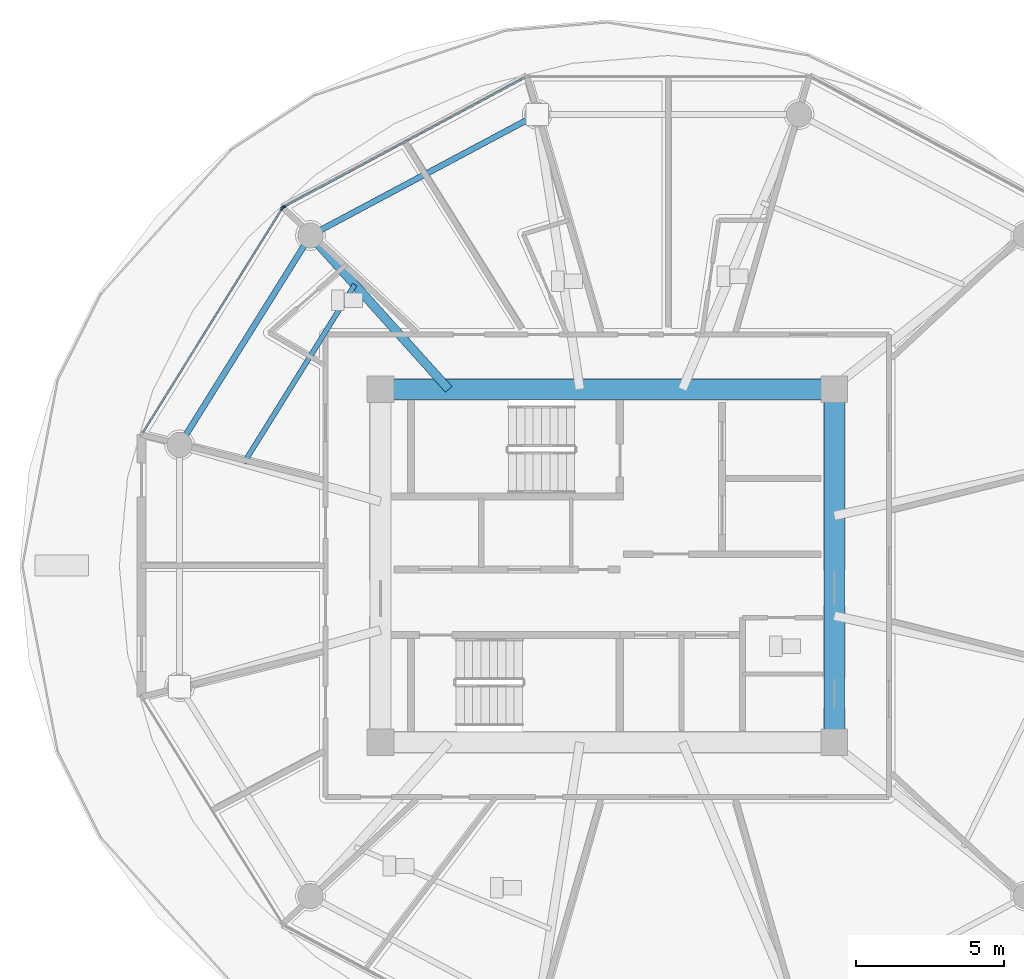
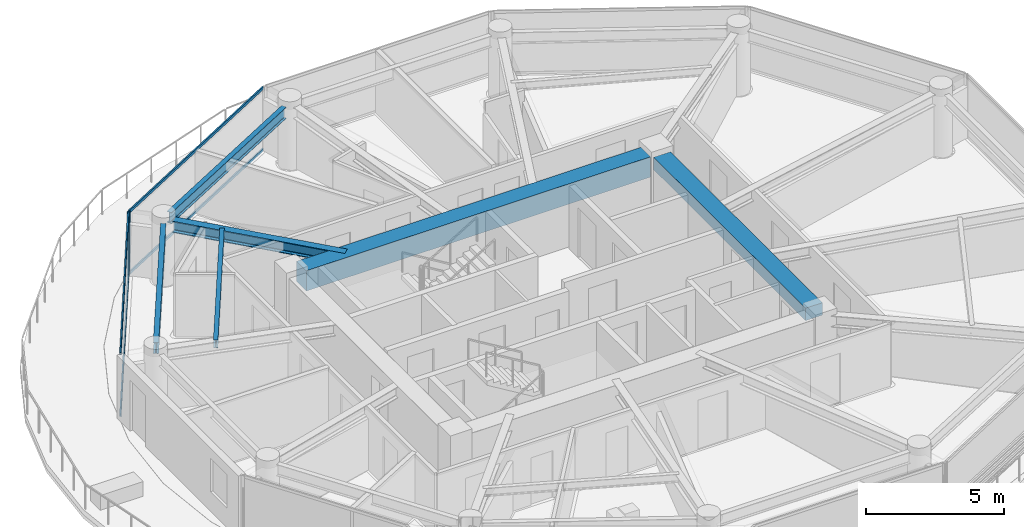
# One storey, part 4 of 32: 6 beams, 6 members, 2 elements without a shape of their own.
"""IFC4 building model written with IfcOpenShell, lengths in metres."""

from ifc_helpers import new_model, si_unit, direction, frame, origin, origin_2d, place, context, subcontext, project, spatial, rectangle, i_section, extrude, source, transform, mapped, material, layer, layer_set, material_profile, profile_set, type_object, type_shapes, element, aggregate, save


model = new_model("IFC4")

# Units and contexts
model_context = context("Model", 3, precision=1e-05, world=origin(), true_north=direction((0.0, 1.0)))
body_context = subcontext(model_context, "Body", "Model", "MODEL_VIEW")
ifc_project = project(units=[si_unit("LENGTHUNIT", "METRE"), si_unit("AREAUNIT", "SQUARE_METRE"), si_unit("VOLUMEUNIT", "CUBIC_METRE"), si_unit("PLANEANGLEUNIT", "RADIAN"), si_unit("MASSUNIT", "GRAM", prefix="KILO")], contexts=[model_context])

# Site, building, storey
site_placement = place(None, origin())
site = spatial("IfcSite", under=ifc_project, at=site_placement, CompositionType="ELEMENT")
building_placement = place(site_placement, origin())
building = spatial("IfcBuilding", under=site, at=building_placement, Name="Norrkilde Senior Care Towers", CompositionType="ELEMENT")
storey_placement = place(building_placement, frame((0.0, 0.0, 77.949951171875)))
storey = spatial("IfcBuildingStorey", under=building, at=storey_placement, Name="L23", CompositionType="ELEMENT", Elevation=77.949951171875)

# Beams
ifc_material_1 = material(Name="Concrete C60/75", Category="concrete")
ifc_material_profile_1 = material_profile(ifc_material_1, rectangle(XDim=0.699951171875, YDim=0.89990234375, at=origin_2d()), Name="RC BM 700x900")
ifc_profile_set_1 = profile_set([ifc_material_profile_1], Name="Concrete C60/75")
beam_type_1 = type_object("IfcBeamType", Name="Core Coupling Girder 700x900", PredefinedType="USERDEFINED", material=ifc_profile_set_1)
shared_shape_1 = source(origin(), body_context, "Body", "SweptSolid", [
    extrude(rectangle(XDim=0.699951171875, YDim=0.89990234375, at=origin_2d()), origin(), (0.0, 0.0, 1.0), 14.43994140625),
])
type_shapes(beam_type_1, [shared_shape_1])
beam_1_placement = place(storey_placement, frame((-35.219970703125, 5.949951171875, 2.340087890625), z_axis=(1.0, 0.0, 0.0), x_axis=(0.0, 1.0, 0.0)))
element("IfcBeam", 1, at=beam_1_placement, inside=storey, type_object=beam_type_1, Name="L23 Core W N Coupling Girder", ObjectType="GIRDER", PredefinedType="USERDEFINED", context=body_context, shape_type="MappedRepresentation", body=[
    mapped(shared_shape_1, transform((0.0, 0.0, 0.0), x_axis=(1.0, 0.0, 0.0), y_axis=(0.0, 1.0, 0.0), z_axis=(0.0, 0.0, 1.0), scale=1.0)),
])
ifc_material_profile_2 = material_profile(ifc_material_1, rectangle(XDim=0.699951171875, YDim=0.550048828125, at=origin_2d()), Name="RC BM 700x550")
ifc_profile_set_2 = profile_set([ifc_material_profile_2], Name="Concrete C60/75")
beam_type_2 = type_object("IfcBeamType", Name="Core Portal Coupling Beam 700x550", PredefinedType="USERDEFINED", material=ifc_profile_set_2)
shared_shape_2 = source(origin(), body_context, "Body", "SweptSolid", [
    extrude(rectangle(XDim=0.699951171875, YDim=0.550048828125, at=origin_2d()), origin(), (0.0, 0.0, 1.0), 11.0400390625),
])
type_shapes(beam_type_2, [shared_shape_2])
beam_2_placement = place(storey_placement, frame((-20.35009765625, -5.52001953125, 2.51513671875), z_axis=(0.0, 1.0, 0.0), x_axis=(-1.0, 0.0, 0.0)))
element("IfcBeam", 2, at=beam_2_placement, inside=storey, type_object=beam_type_2, Name="L23 Core W E Coupling Girder", ObjectType="GIRDER", PredefinedType="USERDEFINED", context=body_context, shape_type="MappedRepresentation", body=[
    mapped(shared_shape_2, transform((0.0, 0.0, 0.0), x_axis=(1.0, 0.0, 0.0), y_axis=(0.0, 1.0, 0.0), z_axis=(0.0, 0.0, 1.0), scale=1.0)),
])
ifc_material_2 = material(Name="Steel S355", Category="steel")
ifc_material_profile_3 = material_profile(ifc_material_2, i_section(OverallWidth=0.199951171875, OverallDepth=0.5, WebThickness=0.01025390625, FlangeThickness=0.01611328125, FilletRadius=0.02099609375, at=origin_2d()), Name="IPE 500")
ifc_profile_set_3 = profile_set([ifc_material_profile_3], Name="Steel S355")
beam_type_3 = type_object("IfcBeamType", Name="Perimeter Ring Spandrel Z2 IPE500", PredefinedType="SPANDREL", material=ifc_profile_set_3)
shared_shape_3 = source(origin(), body_context, "Body", "SweptSolid", [
    extrude(i_section(OverallWidth=0.199951171875, OverallDepth=0.5, WebThickness=0.01025390625, FlangeThickness=0.01611328125, FilletRadius=0.02099609375, at=origin_2d()), origin(), (0.0, 0.0, 1.0), 7.892333984375),
])
beam_3_placement = place(storey_placement, frame((-30.70263671875, 15.0322265625, 2.5400390625), z_axis=(-0.882350372282, -0.47059305194, 0.0), x_axis=(0.47059305194, -0.882350372282, 0.0)))
element("IfcBeam", 3, at=beam_3_placement, inside=storey, type_object=beam_type_3, Name="L23 Drum W Perimeter Spandrel 04", PredefinedType="SPANDREL", context=body_context, shape_type="MappedRepresentation", body=[
    mapped(shared_shape_3, transform((0.0, 0.0, 0.0), x_axis=(1.0, 0.0, 0.0), y_axis=(0.0, 1.0, 0.0), z_axis=(0.0, 0.0, 1.0), scale=1.0)),
])
shared_shape_4 = source(origin(), body_context, "Body", "SweptSolid", [
    extrude(i_section(OverallWidth=0.199951171875, OverallDepth=0.5, WebThickness=0.01025390625, FlangeThickness=0.01611328125, FilletRadius=0.02099609375, at=origin_2d()), origin(), (0.0, 0.0, 1.0), 7.556396484375),
])
type_shapes(beam_type_3, [shared_shape_3, shared_shape_4])
beam_4_placement = place(storey_placement, frame((-38.210205078125, 10.810546875, 2.5400390625), z_axis=(-0.530004748437, -0.847994673706, 0.0), x_axis=(0.847994673706, -0.530004748437, 0.0)))
element("IfcBeam", 4, at=beam_4_placement, inside=storey, type_object=beam_type_3, Name="L23 Drum W Perimeter Spandrel 05", PredefinedType="SPANDREL", context=body_context, shape_type="MappedRepresentation", body=[
    mapped(shared_shape_4, transform((0.0, 0.0, 0.0), x_axis=(1.0, 0.0, 0.0), y_axis=(0.0, 1.0, 0.0), z_axis=(0.0, 0.0, 1.0), scale=1.0)),
])
ifc_material_profile_4 = material_profile(ifc_material_2, i_section(OverallWidth=0.300048828125, OverallDepth=0.5, WebThickness=0.014404296875, FlangeThickness=0.028076171875, FilletRadius=0.027099609375, at=origin_2d()), Name="HEB 500")
ifc_profile_set_4 = profile_set([ifc_material_profile_4], Name="Steel S355")
beam_type_4 = type_object("IfcBeamType", Name="Radial Floor Beam Z2 HEB500", PredefinedType="BEAM", material=ifc_profile_set_4)
shared_shape_5 = source(origin(), body_context, "Body", "SweptSolid", [
    extrude(i_section(OverallWidth=0.300048828125, OverallDepth=0.5, WebThickness=0.014404296875, FlangeThickness=0.028076171875, FilletRadius=0.027099609375, at=origin_2d()), origin(), (0.0, 0.0, 1.0), 6.587890625),
])
type_shapes(beam_type_4, [shared_shape_5])
beam_5_placement = place(storey_placement, frame((-33.345947265625, 5.949951171875, 2.5400390625), z_axis=(-0.668315438605, 0.743877997068, 0.0), x_axis=(-0.743877997068, -0.668315438605, 0.0)))
element("IfcBeam", 5, at=beam_5_placement, inside=storey, type_object=beam_type_4, Name="L23 Drum W Radial Floor Beam 05", PredefinedType="BEAM", context=body_context, shape_type="MappedRepresentation", body=[
    mapped(shared_shape_5, transform((0.0, 0.0, 0.0), x_axis=(1.0, 0.0, 0.0), y_axis=(0.0, 1.0, 0.0), z_axis=(0.0, 0.0, 1.0), scale=1.0)),
])
ifc_material_profile_5 = material_profile(ifc_material_2, i_section(OverallWidth=0.169921875, OverallDepth=0.360107421875, WebThickness=0.008056640625, FlangeThickness=0.0126953125, FilletRadius=0.01806640625, at=origin_2d()), Name="IPE 360")
ifc_profile_set_5 = profile_set([ifc_material_profile_5], Name="Steel S355")
beam_type_5 = type_object("IfcBeamType", Name="Secondary Floor Joist IPE360", PredefinedType="JOIST", material=ifc_profile_set_5)
shared_shape_6 = source(origin(), body_context, "Body", "SweptSolid", [
    extrude(i_section(OverallWidth=0.169921875, OverallDepth=0.360107421875, WebThickness=0.008056640625, FlangeThickness=0.0126953125, FilletRadius=0.01806640625, at=origin_2d()), origin(), (0.0, 0.0, 1.0), 7.080078125),
])
type_shapes(beam_type_5, [shared_shape_6])
beam_6_placement = place(storey_placement, frame((-36.514892578125, 9.47705078125, 2.610107421875), z_axis=(-0.527961009189, -0.849268610497, 0.0), x_axis=(0.849268610497, -0.527961009189, 0.0)))
element("IfcBeam", 6, at=beam_6_placement, inside=storey, type_object=beam_type_5, Name="L23 Drum W Secondary Floor Joist 2", PredefinedType="JOIST", context=body_context, shape_type="MappedRepresentation", body=[
    mapped(shared_shape_6, transform((0.0, 0.0, 0.0), x_axis=(1.0, 0.0, 0.0), y_axis=(0.0, 1.0, 0.0), z_axis=(0.0, 0.0, 1.0), scale=1.0)),
])

# Curtain wall, member
ifc_material_3 = material(Name="Triple Low-E Insulated Glazing", Category="glass")
ifc_layer = layer(ifc_material_3, 0.195068359375)
ifc_layer_set = layer_set([ifc_layer], Name="Triple Low-E Insulated Glazing")
curtain_wall_type = type_object("IfcCurtainWallType", Name="CW3 Zone 2 Assisted Living Curtain Wall", PredefinedType="NOTDEFINED", material=ifc_layer_set)
curtain_wall_1_placement = place(storey_placement, origin())
curtain_wall_1 = element("IfcCurtainWall", 7, at=curtain_wall_1_placement, inside=storey, type_object=curtain_wall_type, Name="L23 Drum W Curtain Wall 03", PredefinedType="NOTDEFINED")
ifc_material_4 = material(Name="Anodised Aluminium", Category="aluminium")
ifc_material_profile_6 = material_profile(ifc_material_4, rectangle(XDim=0.06494140625, YDim=0.159912109375, at=origin_2d()), Name="ALU MULL 65x160")
ifc_profile_set_6 = profile_set([ifc_material_profile_6], Name="Anodised Aluminium")
member_type_1 = type_object("IfcMemberType", Name="Curtain Wall Mullion Z1-Z2 65x160", PredefinedType="MULLION", material=ifc_profile_set_6)
shared_shape_7 = source(origin(), body_context, "Body", "SweptSolid", [
    extrude(rectangle(XDim=0.06494140625, YDim=0.159912109375, at=origin_2d()), origin(), (0.0, 0.0, 1.0), 2.7900390625),
])
type_shapes(member_type_1, [shared_shape_7])
member_1_placement = place(storey_placement, frame((-38.91796875, 12.0927734375, 0.0), z_axis=(0.0, 0.0, 1.0), x_axis=(-0.472769402511, 0.881186184668, 0.0)))
member_1 = element("IfcMember", 8, at=member_1_placement, type_object=member_type_1, Name="CW-3 mullion 1", PredefinedType="MULLION", context=body_context, shape_type="MappedRepresentation", body=[
    mapped(shared_shape_7, transform((0.0, 0.0, 0.0), x_axis=(1.0, 0.0, 0.0), y_axis=(0.0, 1.0, 0.0), z_axis=(0.0, 0.0, 1.0), scale=1.0)),
])

# Curtain wall, members
curtain_wall_2_placement = place(storey_placement, origin())
curtain_wall_2 = element("IfcCurtainWall", 9, at=curtain_wall_2_placement, inside=storey, type_object=curtain_wall_type, Name="L23 Drum W Curtain Wall 04", PredefinedType="NOTDEFINED")
member_2_placement = place(storey_placement, frame((-38.9638671875, 12.0498046875, 0.0), z_axis=(0.0, 0.0, 1.0), x_axis=(-0.849410171862, 0.527733228002, 0.0)))
member_2 = element("IfcMember", 10, at=member_2_placement, type_object=member_type_1, Name="CW-3 mullion 2", PredefinedType="MULLION", context=body_context, shape_type="MappedRepresentation", body=[
    mapped(shared_shape_7, transform((0.0, 0.0, 0.0), x_axis=(1.0, 0.0, 0.0), y_axis=(0.0, 1.0, 0.0), z_axis=(0.0, 0.0, 1.0), scale=1.0)),
])
ifc_material_profile_7 = material_profile(ifc_material_4, rectangle(XDim=0.06005859375, YDim=0.1201171875, at=origin_2d()), Name="ALU TRAN 60x120")
ifc_profile_set_7 = profile_set([ifc_material_profile_7], Name="Anodised Aluminium")
member_type_2 = type_object("IfcMemberType", Name="Curtain Wall Transom Typical 60x120", PredefinedType="USERDEFINED", material=ifc_profile_set_7)
shared_shape_8 = source(origin(), body_context, "Body", "SweptSolid", [
    extrude(rectangle(XDim=0.06005859375, YDim=0.1201171875, at=origin_2d()), origin(), (0.0, 0.0, 1.0), 8.88427734375),
])
member_3_placement = place(storey_placement, frame((-43.66943359375, 4.475830078125, 0.030029296875), z_axis=(0.527729466743, 0.849412508697, 0.0), x_axis=(-0.849412508697, 0.527729466743, 0.0)))
member_3 = element("IfcMember", 11, at=member_3_placement, type_object=member_type_2, Name="CW-3 transom 1.1", ObjectType="TRANSOM", PredefinedType="USERDEFINED", context=body_context, shape_type="MappedRepresentation", body=[
    mapped(shared_shape_8, transform((0.0, 0.0, 0.0), x_axis=(1.0, 0.0, 0.0), y_axis=(0.0, 1.0, 0.0), z_axis=(0.0, 0.0, 1.0), scale=1.0)),
])
member_4_placement = place(storey_placement, frame((-43.66943359375, 4.475830078125, 2.760009765625), z_axis=(0.527729466743, 0.849412508697, 0.0), x_axis=(-0.849412508697, 0.527729466743, 0.0)))
member_4 = element("IfcMember", 12, at=member_4_placement, type_object=member_type_2, Name="CW-3 transom 1.2", ObjectType="TRANSOM", PredefinedType="USERDEFINED", context=body_context, shape_type="MappedRepresentation", body=[
    mapped(shared_shape_8, transform((0.0, 0.0, 0.0), x_axis=(1.0, 0.0, 0.0), y_axis=(0.0, 1.0, 0.0), z_axis=(0.0, 0.0, 1.0), scale=1.0)),
])
aggregate(curtain_wall_2, [member_2, member_3, member_4])

# Member
shared_shape_9 = source(origin(), body_context, "Body", "SweptSolid", [
    extrude(rectangle(XDim=0.06005859375, YDim=0.1201171875, at=origin_2d()), origin(), (0.0, 0.0, 1.0), 9.220458984375),
])
type_shapes(member_type_2, [shared_shape_8, shared_shape_9])
member_5_placement = place(storey_placement, frame((-38.889404296875, 12.108154296875, 0.030029296875), z_axis=(0.881188517866, 0.472765053681, 0.0), x_axis=(-0.472765053681, 0.881188517866, 0.0)))
member_5 = element("IfcMember", 13, at=member_5_placement, type_object=member_type_2, Name="CW-3 transom 1.1", ObjectType="TRANSOM", PredefinedType="USERDEFINED", context=body_context, shape_type="MappedRepresentation", body=[
    mapped(shared_shape_9, transform((0.0, 0.0, 0.0), x_axis=(1.0, 0.0, 0.0), y_axis=(0.0, 1.0, 0.0), z_axis=(0.0, 0.0, 1.0), scale=1.0)),
])

member_6_placement = place(storey_placement, frame((-38.889404296875, 12.108154296875, 2.760009765625), z_axis=(0.881188517866, 0.472765053681, 0.0), x_axis=(-0.472765053681, 0.881188517866, 0.0)))
member_6 = element("IfcMember", 14, at=member_6_placement, type_object=member_type_2, Name="CW-3 transom 1.2", ObjectType="TRANSOM", PredefinedType="USERDEFINED", context=body_context, shape_type="MappedRepresentation", body=[
    mapped(shared_shape_9, transform((0.0, 0.0, 0.0), x_axis=(1.0, 0.0, 0.0), y_axis=(0.0, 1.0, 0.0), z_axis=(0.0, 0.0, 1.0), scale=1.0)),
])

aggregate(curtain_wall_1, [member_1, member_5, member_6])

save(model, "model.ifc")
